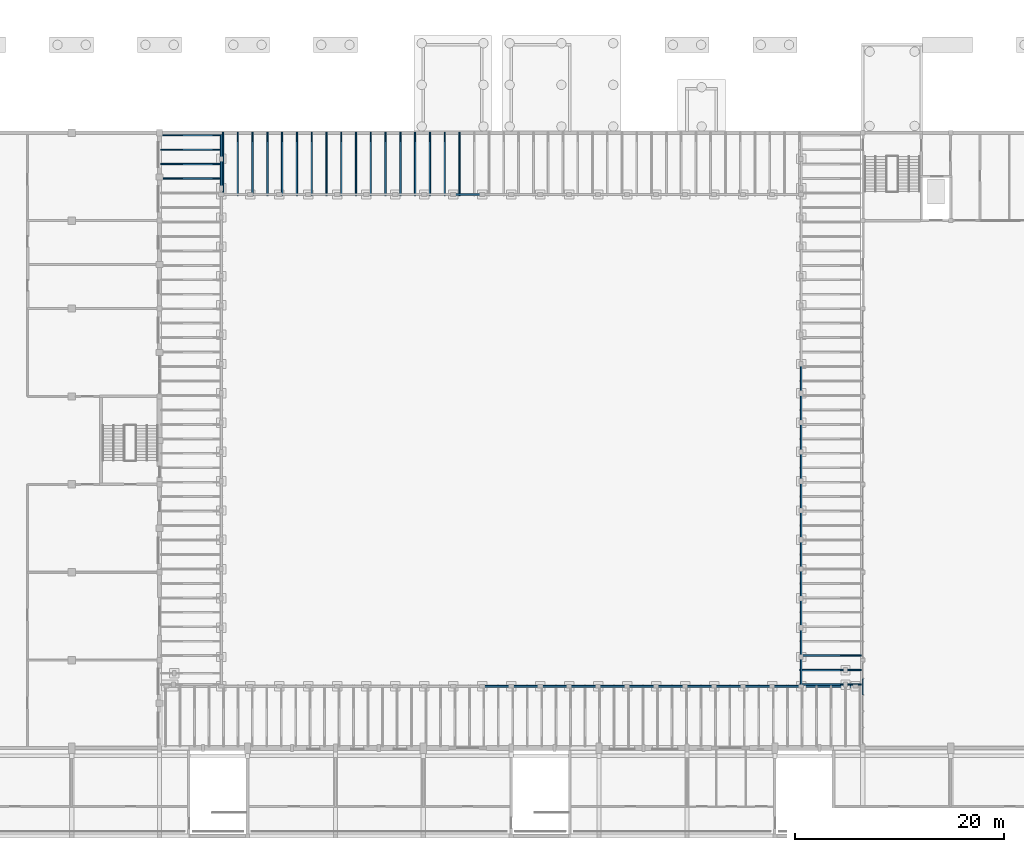
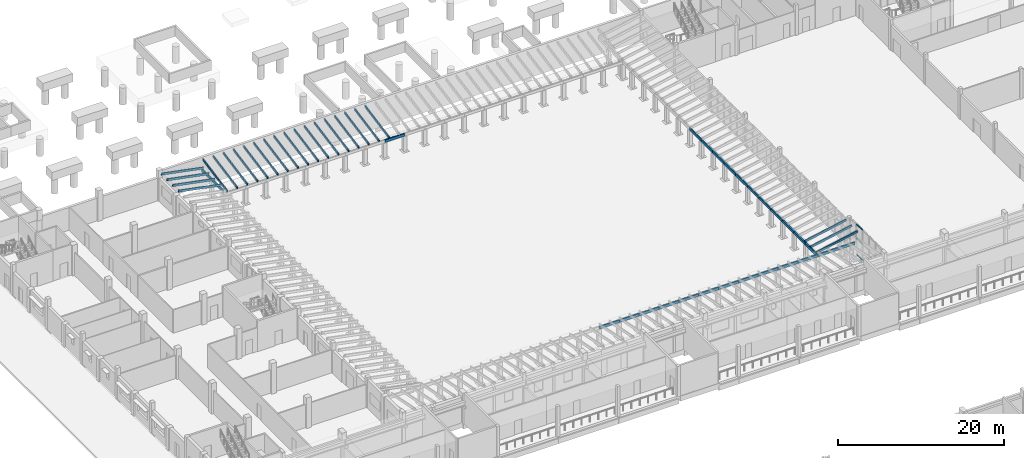
# One storey, part 13 of 60: 27 members, 26 beams, 1 element without a shape of its own.
"""IFC4 building model written with IfcOpenShell, lengths in metres."""

from ifc_helpers import new_model, si_unit, direction, frame, origin, origin_2d, place, context, subcontext, project, spatial, rectangle, extrude, material, material_profile, profile_set, type_object, element, aggregate, save


model = new_model("IFC4")

# Units and contexts
model_context = context("Model", 3, precision=1e-05, world=origin(), true_north=direction((0.0, 1.0)))
body_context = subcontext(model_context, "Body", "Model", "MODEL_VIEW")
ifc_project = project(units=[si_unit("LENGTHUNIT", "METRE"), si_unit("AREAUNIT", "SQUARE_METRE"), si_unit("VOLUMEUNIT", "CUBIC_METRE"), si_unit("PLANEANGLEUNIT", "RADIAN"), si_unit("MASSUNIT", "GRAM", prefix="KILO")], contexts=[model_context])

# Site, building, storey
site_placement = place(None, origin())
site = spatial("IfcSite", under=ifc_project, at=site_placement, CompositionType="ELEMENT")
building_placement = place(site_placement, origin())
building = spatial("IfcBuilding", under=site, at=building_placement, Name="Fescue Hill Polytechnic", CompositionType="ELEMENT")
storey_placement = place(building_placement, frame((0.0, 0.0, 4.5)))
storey = spatial("IfcBuildingStorey", under=building, at=storey_placement, Name="L01", CompositionType="ELEMENT", Elevation=4.5)

# Curtain wall, members
ifc_material_1 = material(Name="Glass", Category="glass")
curtain_wall_type = type_object("IfcCurtainWallType", Name="Curtain wall structural glazing", PredefinedType="NOTDEFINED", material=ifc_material_1)
curtain_wall_placement = place(storey_placement, origin())
curtain_wall = element("IfcCurtainWall", 1, at=curtain_wall_placement, inside=storey, type_object=curtain_wall_type, Name="CW-L01-V6-7", PredefinedType="NOTDEFINED")
ifc_material_2 = material(Name="Powder-coated aluminium", Category="aluminium")
ifc_material_profile_1 = material_profile(ifc_material_2, rectangle(XDim=0.1201171875, YDim=0.06005859375, at=origin_2d()), Name="Transom aluminium 60x120")
ifc_profile_set_1 = profile_set([ifc_material_profile_1], Name="Powder-coated aluminium")
member_type_1 = type_object("IfcMemberType", Name="Transom aluminium 60x120", PredefinedType="USERDEFINED", material=ifc_profile_set_1)
member_1_placement = place(storey_placement, frame((92.39990234375, 57.010009765625, 0.030029296875), z_axis=(0.0, -1.0, 0.0), x_axis=(1.0, 0.0, 0.0)))
member_1 = element("IfcMember", 2, at=member_1_placement, type_object=member_type_1, Name="CW53 transom 2.1", ObjectType="TRANSOM", PredefinedType="USERDEFINED", context=body_context, shape_type="SweptSolid", body=[
    extrude(rectangle(XDim=0.1201171875, YDim=0.06005859375, at=origin_2d()), origin(), (0.0, 0.0, 1.0), 1.5),
])
member_2_placement = place(storey_placement, frame((92.39990234375, 57.010009765625, 2.39990234375), z_axis=(0.0, -1.0, 0.0), x_axis=(1.0, 0.0, 0.0)))
member_2 = element("IfcMember", 3, at=member_2_placement, type_object=member_type_1, Name="CW53 transom 2.2", ObjectType="TRANSOM", PredefinedType="USERDEFINED", context=body_context, shape_type="SweptSolid", body=[
    extrude(rectangle(XDim=0.1201171875, YDim=0.06005859375, at=origin_2d()), origin(), (0.0, 0.0, 1.0), 1.5),
])
member_3_placement = place(storey_placement, frame((92.39990234375, 57.010009765625, 4.449951171875), z_axis=(0.0, -1.0, 0.0), x_axis=(1.0, 0.0, 0.0)))
member_3 = element("IfcMember", 4, at=member_3_placement, type_object=member_type_1, Name="CW53 transom 2.3", ObjectType="TRANSOM", PredefinedType="USERDEFINED", context=body_context, shape_type="SweptSolid", body=[
    extrude(rectangle(XDim=0.1201171875, YDim=0.06005859375, at=origin_2d()), origin(), (0.0, 0.0, 1.0), 1.5),
])
aggregate(curtain_wall, [member_1, member_2, member_3])

# Beams
ifc_material_3 = material(Name="Glulam 24f-EX", Category="wood")
ifc_material_profile_2 = material_profile(ifc_material_3, rectangle(XDim=0.175048828125, YDim=0.3798828125, at=origin_2d()), Name="Veranda eaves beam 175x380")
ifc_profile_set_2 = profile_set([ifc_material_profile_2], Name="Glulam 24f-EX")
beam_type = type_object("IfcBeamType", Name="Veranda eaves beam 175x380", PredefinedType="BEAM", material=ifc_profile_set_2)
for number, where, z_axis, x_axis, name in (
    (5, (56.030029296875, 56.300048828125, 2.365966796875), (1.0, 0.0, 0.0), (0.0, 1.0, 0.0), "Hall veranda eaves beam"),
    (6, (58.800048828125, 56.300048828125, 2.365966796875), (1.0, 0.0, 0.0), (0.0, 1.0, 0.0), "Hall veranda eaves beam"),
    (7, (61.570068359375, 56.300048828125, 2.365966796875), (1.0, 0.0, 0.0), (0.0, 1.0, 0.0), "Hall veranda eaves beam"),
    (8, (64.340087890625, 56.300048828125, 2.365966796875), (1.0, 0.0, 0.0), (0.0, 1.0, 0.0), "Hall veranda eaves beam"),
):
    element("IfcBeam", number, at=place(storey_placement, frame(where, z_axis=z_axis, x_axis=x_axis)), inside=storey, type_object=beam_type, Name=name, PredefinedType="BEAM", context=body_context, shape_type="SweptSolid", body=[
        extrude(rectangle(XDim=0.175048828125, YDim=0.3798828125, at=origin_2d()), origin(), (0.0, 0.0, 1.0), 2.77001953125),
    ])
beam_1_placement = place(storey_placement, frame((67.110107421875, 56.300048828125, 2.365966796875), z_axis=(1.0, 0.0, 0.0), x_axis=(0.0, 1.0, 0.0)))
element("IfcBeam", 9, at=beam_1_placement, inside=storey, type_object=beam_type, Name="Hall veranda eaves beam", PredefinedType="BEAM", context=body_context, shape_type="SweptSolid", body=[
    extrude(rectangle(XDim=0.175048828125, YDim=0.3798828125, at=origin_2d()), origin(), (0.0, 0.0, 1.0), 2.769775390625),
])
for number, where, z_axis, x_axis, name in (
    (10, (69.8798828125, 56.300048828125, 2.365966796875), (1.0, 0.0, 0.0), (0.0, 1.0, 0.0), "Hall veranda eaves beam"),
    (11, (72.64990234375, 56.300048828125, 2.365966796875), (1.0, 0.0, 0.0), (0.0, 1.0, 0.0), "Hall veranda eaves beam"),
    (12, (75.419921875, 56.300048828125, 2.365966796875), (1.0, 0.0, 0.0), (0.0, 1.0, 0.0), "Hall veranda eaves beam"),
    (13, (78.18994140625, 56.300048828125, 2.365966796875), (1.0, 0.0, 0.0), (0.0, 1.0, 0.0), "Hall veranda eaves beam"),
    (14, (80.9599609375, 56.300048828125, 2.365966796875), (1.0, 0.0, 0.0), (0.0, 1.0, 0.0), "Hall veranda eaves beam"),
    (15, (83.72998046875, 56.300048828125, 2.365966796875), (1.0, 0.0, 0.0), (0.0, 1.0, 0.0), "Hall veranda eaves beam"),
):
    element("IfcBeam", number, at=place(storey_placement, frame(where, z_axis=z_axis, x_axis=x_axis)), inside=storey, type_object=beam_type, Name=name, PredefinedType="BEAM", context=body_context, shape_type="SweptSolid", body=[
        extrude(rectangle(XDim=0.175048828125, YDim=0.3798828125, at=origin_2d()), origin(), (0.0, 0.0, 1.0), 2.77001953125),
    ])
beam_2_placement = place(storey_placement, frame((86.5, 56.300048828125, 2.365966796875), z_axis=(1.0, 0.0, 0.0), x_axis=(0.0, 1.0, 0.0)))
element("IfcBeam", 16, at=beam_2_placement, inside=storey, type_object=beam_type, Name="Hall veranda eaves beam", PredefinedType="BEAM", context=body_context, shape_type="SweptSolid", body=[
    extrude(rectangle(XDim=0.175048828125, YDim=0.3798828125, at=origin_2d()), origin(), (0.0, 0.0, 1.0), 5.199951171875),
])
beam_3_placement = place(storey_placement, frame((31.10009765625, 103.89990234375, 2.365966796875), z_axis=(0.0, 1.0, 0.0), x_axis=(-1.0, 0.0, 0.0)))
element("IfcBeam", 17, at=beam_3_placement, inside=storey, type_object=beam_type, Name="Laboratory veranda eaves beam", PredefinedType="BEAM", context=body_context, shape_type="SweptSolid", body=[
    extrude(rectangle(XDim=0.175048828125, YDim=0.3798828125, at=origin_2d()), origin(), (0.0, 0.0, 1.0), 2.800048828125),
])
beam_4_placement = place(storey_placement, frame((31.10009765625, 106.699951171875, 2.365966796875), z_axis=(0.0, 1.0, 0.0), x_axis=(-1.0, 0.0, 0.0)))
element("IfcBeam", 18, at=beam_4_placement, inside=storey, type_object=beam_type, Name="Laboratory veranda eaves beam", PredefinedType="BEAM", context=body_context, shape_type="SweptSolid", body=[
    extrude(rectangle(XDim=0.175048828125, YDim=0.3798828125, at=origin_2d()), origin(), (0.0, 0.0, 1.0), 2.324951171875),
])
beam_5_placement = place(storey_placement, frame((86.5, 56.300048828125, 2.365966796875), z_axis=(0.0, 1.0, 0.0), x_axis=(-1.0, 0.0, 0.0)))
element("IfcBeam", 19, at=beam_5_placement, inside=storey, type_object=beam_type, Name="Winter garden veranda eaves beam", PredefinedType="BEAM", context=body_context, shape_type="SweptSolid", body=[
    extrude(rectangle(XDim=0.175048828125, YDim=0.3798828125, at=origin_2d()), origin(), (0.0, 0.0, 1.0), 2.800048828125),
])
beam_6_placement = place(storey_placement, frame((86.5, 59.10009765625, 2.365966796875), z_axis=(0.0, 1.0, 0.0), x_axis=(-1.0, 0.0, 0.0)))
element("IfcBeam", 20, at=beam_6_placement, inside=storey, type_object=beam_type, Name="Winter garden veranda eaves beam", PredefinedType="BEAM", context=body_context, shape_type="SweptSolid", body=[
    extrude(rectangle(XDim=0.175048828125, YDim=0.3798828125, at=origin_2d()), origin(), (0.0, 0.0, 1.0), 2.7998046875),
])
for number, where, z_axis, x_axis, name in (
    (21, (86.5, 61.89990234375, 2.365966796875), (0.0, 1.0, 0.0), (-1.0, 0.0, 0.0), "Winter garden veranda eaves beam"),
    (22, (86.5, 64.699951171875, 2.365966796875), (0.0, 1.0, 0.0), (-1.0, 0.0, 0.0), "Winter garden veranda eaves beam"),
    (23, (86.5, 67.5, 2.365966796875), (0.0, 1.0, 0.0), (-1.0, 0.0, 0.0), "Winter garden veranda eaves beam"),
    (24, (86.5, 70.300048828125, 2.365966796875), (0.0, 1.0, 0.0), (-1.0, 0.0, 0.0), "Winter garden veranda eaves beam"),
):
    element("IfcBeam", number, at=place(storey_placement, frame(where, z_axis=z_axis, x_axis=x_axis)), inside=storey, type_object=beam_type, Name=name, PredefinedType="BEAM", context=body_context, shape_type="SweptSolid", body=[
        extrude(rectangle(XDim=0.175048828125, YDim=0.3798828125, at=origin_2d()), origin(), (0.0, 0.0, 1.0), 2.800048828125),
    ])
beam_7_placement = place(storey_placement, frame((86.5, 73.10009765625, 2.365966796875), z_axis=(0.0, 1.0, 0.0), x_axis=(-1.0, 0.0, 0.0)))
element("IfcBeam", 25, at=beam_7_placement, inside=storey, type_object=beam_type, Name="Winter garden veranda eaves beam", PredefinedType="BEAM", context=body_context, shape_type="SweptSolid", body=[
    extrude(rectangle(XDim=0.175048828125, YDim=0.3798828125, at=origin_2d()), origin(), (0.0, 0.0, 1.0), 2.7998046875),
])
for number, where, z_axis, x_axis, name in (
    (26, (86.5, 75.89990234375, 2.365966796875), (0.0, 1.0, 0.0), (-1.0, 0.0, 0.0), "Winter garden veranda eaves beam"),
    (27, (86.5, 78.699951171875, 2.365966796875), (0.0, 1.0, 0.0), (-1.0, 0.0, 0.0), "Winter garden veranda eaves beam"),
    (28, (86.5, 81.5, 2.365966796875), (0.0, 1.0, 0.0), (-1.0, 0.0, 0.0), "Winter garden veranda eaves beam"),
    (29, (86.5, 84.300048828125, 2.365966796875), (0.0, 1.0, 0.0), (-1.0, 0.0, 0.0), "Winter garden veranda eaves beam"),
):
    element("IfcBeam", number, at=place(storey_placement, frame(where, z_axis=z_axis, x_axis=x_axis)), inside=storey, type_object=beam_type, Name=name, PredefinedType="BEAM", context=body_context, shape_type="SweptSolid", body=[
        extrude(rectangle(XDim=0.175048828125, YDim=0.3798828125, at=origin_2d()), origin(), (0.0, 0.0, 1.0), 2.800048828125),
    ])
beam_8_placement = place(storey_placement, frame((53.260009765625, 103.300048828125, 2.365966796875), z_axis=(1.0, 0.0, 0.0), x_axis=(0.0, 1.0, 0.0)))
element("IfcBeam", 30, at=beam_8_placement, inside=storey, type_object=beam_type, Name="Court north veranda eaves beam", PredefinedType="BEAM", context=body_context, shape_type="SweptSolid", body=[
    extrude(rectangle(XDim=0.175048828125, YDim=0.3798828125, at=origin_2d()), origin(), (0.0, 0.0, 1.0), 2.77001953125),
])

# Members
ifc_material_profile_3 = material_profile(ifc_material_3, rectangle(XDim=0.1298828125, YDim=0.303955078125, at=origin_2d()), Name="Veranda rafter 130x304")
ifc_profile_set_3 = profile_set([ifc_material_profile_3], Name="Glulam 24f-EX")
member_type_2 = type_object("IfcMemberType", Name="Veranda rafter 130x304", PredefinedType="RAFTER", material=ifc_profile_set_3)
for number, where, z_axis, x_axis, name in (
    (31, (25.324951171875, 104.815673828125, 3.84130859375), (0.981378618916, 0.0, -0.192083331744), (0.0, 1.0, 0.0), "Laboratory veranda rafter"),
    (32, (25.324951171875, 106.197021484375, 3.84130859375), (0.981378618916, 0.0, -0.192083331744), (0.0, 1.0, 0.0), "Laboratory veranda rafter"),
    (33, (25.324951171875, 107.57861328125, 3.84130859375), (0.981378618916, 0.0, -0.192083331744), (0.0, 1.0, 0.0), "Laboratory veranda rafter"),
    (34, (25.324951171875, 108.9599609375, 3.84130859375), (0.981378618916, 0.0, -0.192083331744), (0.0, 1.0, 0.0), "Laboratory veranda rafter"),
):
    element("IfcMember", number, at=place(storey_placement, frame(where, z_axis=z_axis, x_axis=x_axis)), inside=storey, type_object=member_type_2, Name=name, PredefinedType="RAFTER", context=body_context, shape_type="SweptSolid", body=[
        extrude(rectangle(XDim=0.1298828125, YDim=0.303955078125, at=origin_2d()), origin(), (0.0, 0.0, 1.0), 5.986572265625),
    ])
for number, where, z_axis, x_axis, name in (
    (35, (92.199951171875, 56.465087890625, 3.841064453125), (-0.980908023903, 0.0, -0.19447223103), (0.0, -1.0, 0.0), "Winter garden veranda rafter"),
    (36, (92.199951171875, 57.846435546875, 3.841064453125), (-0.980908023903, 0.0, -0.19447223103), (0.0, -1.0, 0.0), "Winter garden veranda rafter"),
    (37, (92.199951171875, 59.227783203125, 3.841064453125), (-0.980908023903, 0.0, -0.19447223103), (0.0, -1.0, 0.0), "Winter garden veranda rafter"),
):
    element("IfcMember", number, at=place(storey_placement, frame(where, z_axis=z_axis, x_axis=x_axis)), inside=storey, type_object=member_type_2, Name=name, PredefinedType="RAFTER", context=body_context, shape_type="SweptSolid", body=[
        extrude(rectangle(XDim=0.1298828125, YDim=0.303955078125, at=origin_2d()), origin(), (0.0, 0.0, 1.0), 5.912841796875),
    ])
for number, where, z_axis, x_axis, name in (
    (38, (31.264892578125, 109.199951171875, 3.841552734375), (0.0, -0.982125967057, -0.188224825229), (1.0, 0.0, 0.0), "Court north veranda rafter"),
    (39, (32.677001953125, 109.199951171875, 3.841552734375), (0.0, -0.982125967057, -0.188224825229), (1.0, 0.0, 0.0), "Court north veranda rafter"),
    (40, (34.089111328125, 109.199951171875, 3.841552734375), (0.0, -0.982125967057, -0.188224825229), (1.0, 0.0, 0.0), "Court north veranda rafter"),
    (41, (35.501220703125, 109.199951171875, 3.841552734375), (0.0, -0.982125967057, -0.188224825229), (1.0, 0.0, 0.0), "Court north veranda rafter"),
    (42, (36.913330078125, 109.199951171875, 3.841552734375), (0.0, -0.982125967057, -0.188224825229), (1.0, 0.0, 0.0), "Court north veranda rafter"),
    (43, (38.3251953125, 109.199951171875, 3.841552734375), (0.0, -0.982125967057, -0.188224825229), (1.0, 0.0, 0.0), "Court north veranda rafter"),
    (44, (39.7373046875, 109.199951171875, 3.841552734375), (0.0, -0.982125967057, -0.188224825229), (1.0, 0.0, 0.0), "Court north veranda rafter"),
    (45, (41.1494140625, 109.199951171875, 3.841552734375), (0.0, -0.982125967057, -0.188224825229), (1.0, 0.0, 0.0), "Court north veranda rafter"),
    (46, (42.5615234375, 109.199951171875, 3.841552734375), (0.0, -0.982125967057, -0.188224825229), (1.0, 0.0, 0.0), "Court north veranda rafter"),
    (47, (43.973388671875, 109.199951171875, 3.841552734375), (0.0, -0.982125967057, -0.188224825229), (1.0, 0.0, 0.0), "Court north veranda rafter"),
    (48, (45.385498046875, 109.199951171875, 3.841552734375), (0.0, -0.982125967057, -0.188224825229), (1.0, 0.0, 0.0), "Court north veranda rafter"),
    (49, (46.797607421875, 109.199951171875, 3.841552734375), (0.0, -0.982125967057, -0.188224825229), (1.0, 0.0, 0.0), "Court north veranda rafter"),
    (50, (48.209716796875, 109.199951171875, 3.841552734375), (0.0, -0.982125967057, -0.188224825229), (1.0, 0.0, 0.0), "Court north veranda rafter"),
    (51, (49.62158203125, 109.199951171875, 3.841552734375), (0.0, -0.982125967057, -0.188224825229), (1.0, 0.0, 0.0), "Court north veranda rafter"),
    (52, (51.03369140625, 109.199951171875, 3.841552734375), (0.0, -0.982125967057, -0.188224825229), (1.0, 0.0, 0.0), "Court north veranda rafter"),
    (53, (52.44580078125, 109.199951171875, 3.841552734375), (0.0, -0.982125967057, -0.188224825229), (1.0, 0.0, 0.0), "Court north veranda rafter"),
    (54, (53.85791015625, 109.199951171875, 3.841552734375), (0.0, -0.982125967057, -0.188224825229), (1.0, 0.0, 0.0), "Court north veranda rafter"),
):
    element("IfcMember", number, at=place(storey_placement, frame(where, z_axis=z_axis, x_axis=x_axis)), inside=storey, type_object=member_type_2, Name=name, PredefinedType="RAFTER", context=body_context, shape_type="SweptSolid", body=[
        extrude(rectangle(XDim=0.1298828125, YDim=0.303955078125, at=origin_2d()), origin(), (0.0, 0.0, 1.0), 6.109130859375),
    ])

save(model, "model.ifc")
